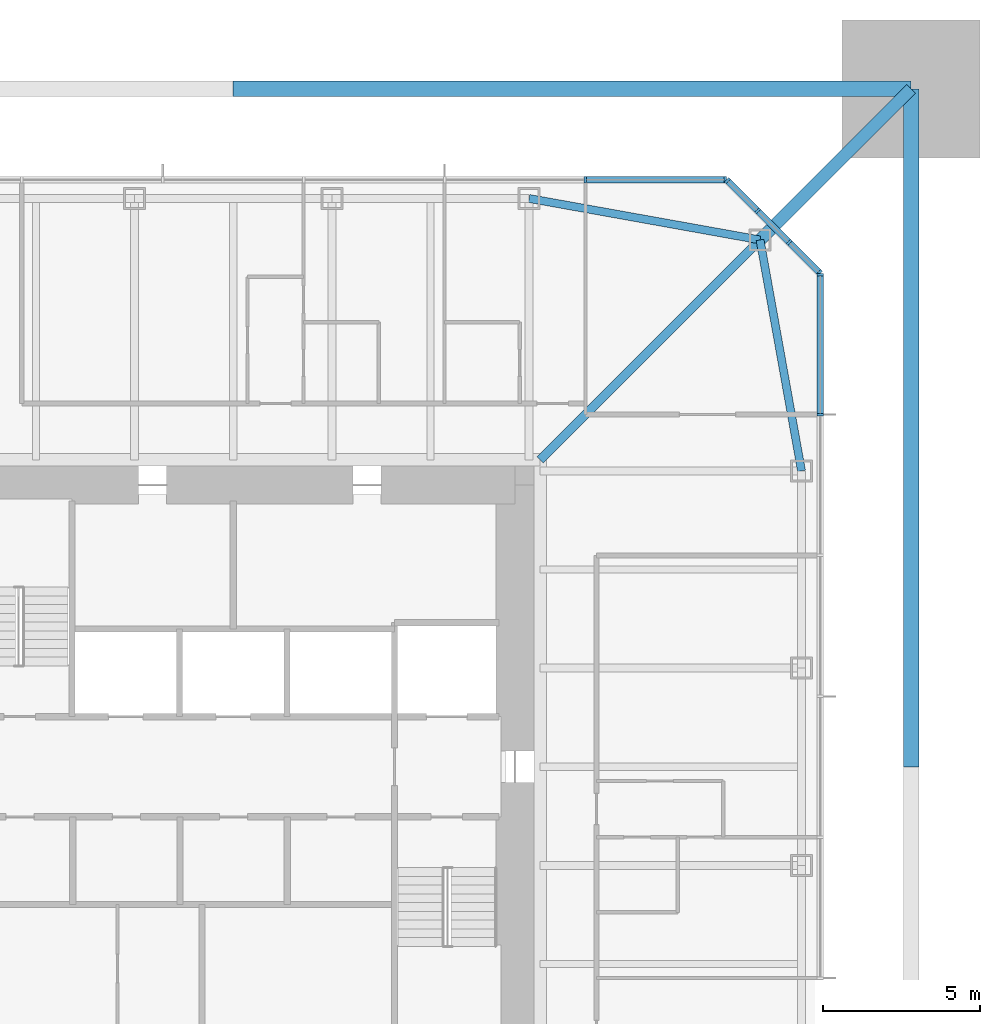
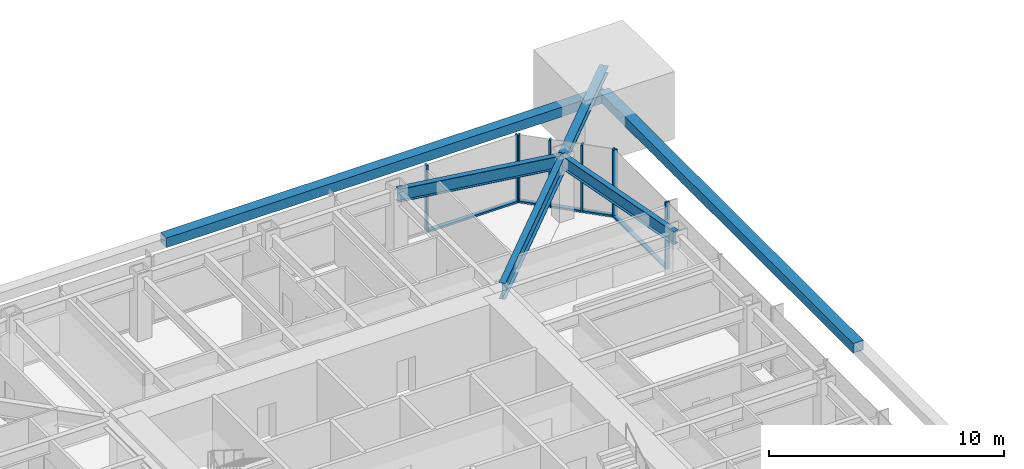
# One storey, part 6 of 13: 16 members, 3 beams, 3 elements without a shape of their own.
"""IFC4 building model written with IfcOpenShell, lengths in metres."""

from ifc_helpers import new_model, si_unit, direction, frame, origin, origin_2d, place, context, subcontext, project, spatial, rectangle, hollow_rectangle, i_section, extrude, material, material_profile, profile_set, type_object, element, aggregate, save


model = new_model("IFC4")

# Units and contexts
model_context = context("Model", 3, precision=1e-05, world=origin(), true_north=direction((0.0, 1.0)))
body_context = subcontext(model_context, "Body", "Model", "MODEL_VIEW")
ifc_project = project(units=[si_unit("LENGTHUNIT", "METRE"), si_unit("AREAUNIT", "SQUARE_METRE"), si_unit("VOLUMEUNIT", "CUBIC_METRE"), si_unit("PLANEANGLEUNIT", "RADIAN"), si_unit("MASSUNIT", "GRAM", prefix="KILO")], contexts=[model_context])

# Site, building, storey
site_placement = place(None, origin())
site = spatial("IfcSite", under=ifc_project, at=site_placement, CompositionType="ELEMENT")
building_placement = place(site_placement, origin())
building = spatial("IfcBuilding", under=site, at=building_placement, Name="Iwan Alto Co-Living Towers", CompositionType="ELEMENT")
storey_placement = place(building_placement, frame((0.0, 0.0, 191.5)))
storey = spatial("IfcBuildingStorey", under=building, at=storey_placement, Name="L52", CompositionType="ELEMENT", Elevation=191.5)

# Curtain wall, members
ifc_material_1 = material(Name="Bronze aluminium unitised frame", Category="aluminium")
curtain_wall_type_1 = type_object("IfcCurtainWallType", Name="CURTAIN WALL CW-A", PredefinedType="NOTDEFINED", material=ifc_material_1)
curtain_wall_1_placement = place(storey_placement, origin())
curtain_wall_1 = element("IfcCurtainWall", 1, at=curtain_wall_1_placement, inside=storey, type_object=curtain_wall_type_1, Name="T1 curtain wall E L52", PredefinedType="NOTDEFINED")
ifc_material_2 = material(Name="Aluminium 6063-T6 bronze anodised", Category="aluminium")
ifc_material_profile_1 = material_profile(ifc_material_2, rectangle(XDim=0.199951171875, YDim=0.080078125, at=origin_2d()), Name="AL 80X200")
ifc_profile_set_1 = profile_set([ifc_material_profile_1], Name="Aluminium 6063-T6 bronze anodised")
member_type_1 = type_object("IfcMemberType", Name="CW-A MULLION 80X200", PredefinedType="MULLION", material=ifc_profile_set_1)
member_1_placement = place(storey_placement, frame((18.75, 11.25, 0.0), z_axis=(0.0, 0.0, 1.0), x_axis=(-1.0, 0.0, 0.0)))
member_1 = element("IfcMember", 2, at=member_1_placement, type_object=member_type_1, Name="CW-A mullion 7", PredefinedType="MULLION", context=body_context, shape_type="SweptSolid", body=[
    extrude(rectangle(XDim=0.199951171875, YDim=0.080078125, at=origin_2d()), origin(), (0.0, 0.0, 1.0), 3.5),
])
member_2_placement = place(storey_placement, frame((18.75, 15.7099609375, 0.0), z_axis=(0.0, 0.0, 1.0), x_axis=(-1.0, 0.0, 0.0)))
member_2 = element("IfcMember", 3, at=member_2_placement, type_object=member_type_1, Name="CW-A mullion 8", PredefinedType="MULLION", context=body_context, shape_type="SweptSolid", body=[
    extrude(rectangle(XDim=0.199951171875, YDim=0.080078125, at=origin_2d()), origin(), (0.0, 0.0, 1.0), 3.5),
])

curtain_wall_2_placement = place(storey_placement, origin())
curtain_wall_2 = element("IfcCurtainWall", 4, at=curtain_wall_2_placement, inside=storey, type_object=curtain_wall_type_1, Name="T1 curtain wall N L52", PredefinedType="NOTDEFINED")
member_3_placement = place(storey_placement, frame((15.7099609375, 18.75, 0.0), z_axis=(0.0, 0.0, 1.0), x_axis=(0.0, -1.0, 0.0)))
member_3 = element("IfcMember", 5, at=member_3_placement, type_object=member_type_1, Name="CW-A mullion 1", PredefinedType="MULLION", context=body_context, shape_type="SweptSolid", body=[
    extrude(rectangle(XDim=0.199951171875, YDim=0.080078125, at=origin_2d()), origin(), (0.0, 0.0, 1.0), 3.5),
])
member_4_placement = place(storey_placement, frame((11.25, 18.75, 0.0), z_axis=(0.0, 0.0, 1.0), x_axis=(0.0, -1.0, 0.0)))
member_4 = element("IfcMember", 6, at=member_4_placement, type_object=member_type_1, Name="CW-A mullion 2", PredefinedType="MULLION", context=body_context, shape_type="SweptSolid", body=[
    extrude(rectangle(XDim=0.199951171875, YDim=0.080078125, at=origin_2d()), origin(), (0.0, 0.0, 1.0), 3.5),
])

# Member
ifc_material_3 = material(Name="Aluminium 6063-T6 bronze anodised", Category="aluminium")
ifc_material_profile_2 = material_profile(ifc_material_3, rectangle(XDim=0.199951171875, YDim=0.10009765625, at=origin_2d()), Name="AL 200X100")
ifc_profile_set_2 = profile_set([ifc_material_profile_2], Name="Aluminium 6063-T6 bronze anodised")
member_type_2 = type_object("IfcMemberType", Name="CW-A TRANSOM 200X100", PredefinedType="USERDEFINED", material=ifc_profile_set_2)
member_5_placement = place(storey_placement, frame((18.75, 11.2900390625, 0.050048828125), z_axis=(0.0, 1.0, 0.0), x_axis=(-1.0, 0.0, 0.0)))
member_5 = element("IfcMember", 7, at=member_5_placement, type_object=member_type_2, Name="CW-A transom 7.1", ObjectType="TRANSOM", PredefinedType="USERDEFINED", context=body_context, shape_type="SweptSolid", body=[
    extrude(rectangle(XDim=0.199951171875, YDim=0.10009765625, at=origin_2d()), origin(), (0.0, 0.0, 1.0), 4.3798828125),
])

aggregate(curtain_wall_1, [member_1, member_2, member_5])

member_6_placement = place(storey_placement, frame((15.669921875, 18.75, 0.050048828125), z_axis=(-1.0, 0.0, 0.0), x_axis=(0.0, -1.0, 0.0)))
member_6 = element("IfcMember", 8, at=member_6_placement, type_object=member_type_2, Name="CW-A transom 1.1", ObjectType="TRANSOM", PredefinedType="USERDEFINED", context=body_context, shape_type="SweptSolid", body=[
    extrude(rectangle(XDim=0.199951171875, YDim=0.10009765625, at=origin_2d()), origin(), (0.0, 0.0, 1.0), 4.3798828125),
])

aggregate(curtain_wall_2, [member_3, member_4, member_6])

# Curtain wall, members
ifc_material_4 = material(Name="Bronze aluminium unitised frame", Category="aluminium")
curtain_wall_type_2 = type_object("IfcCurtainWallType", Name="CURTAIN WALL CW-B", PredefinedType="NOTDEFINED", material=ifc_material_4)
curtain_wall_3_placement = place(storey_placement, origin())
curtain_wall_3 = element("IfcCurtainWall", 9, at=curtain_wall_3_placement, inside=storey, type_object=curtain_wall_type_2, Name="T1 chamfer curtain wall NE L52", PredefinedType="NOTDEFINED")
ifc_material_5 = material(Name="Aluminium 6063-T6 bronze anodised", Category="aluminium")
ifc_material_profile_3 = material_profile(ifc_material_5, rectangle(XDim=0.199951171875, YDim=0.080078125, at=origin_2d()), Name="AL 80X200")
ifc_profile_set_3 = profile_set([ifc_material_profile_3], Name="Aluminium 6063-T6 bronze anodised")
member_type_3 = type_object("IfcMemberType", Name="CW-B MULLION 80X200", PredefinedType="MULLION", material=ifc_profile_set_3)
member_7_placement = place(storey_placement, frame((18.7216796875, 15.7783203125, 0.0), z_axis=(0.0, 0.0, 1.0), x_axis=(-0.707106781187, -0.707106781187, 0.0)))
member_7 = element("IfcMember", 10, at=member_7_placement, type_object=member_type_3, Name="CW-B mullion 1", PredefinedType="MULLION", context=body_context, shape_type="SweptSolid", body=[
    extrude(rectangle(XDim=0.199951171875, YDim=0.080078125, at=origin_2d()), origin(), (0.0, 0.0, 1.0), 3.5),
])
member_8_placement = place(storey_placement, frame((17.75, 16.75, 0.0), z_axis=(0.0, 0.0, 1.0), x_axis=(-0.707106781187, -0.707106781187, 0.0)))
member_8 = element("IfcMember", 11, at=member_8_placement, type_object=member_type_3, Name="CW-B mullion 2", PredefinedType="MULLION", context=body_context, shape_type="SweptSolid", body=[
    extrude(rectangle(XDim=0.199951171875, YDim=0.080078125, at=origin_2d()), origin(), (0.0, 0.0, 1.0), 3.5),
])
member_9_placement = place(storey_placement, frame((16.75, 17.75, 0.0), z_axis=(0.0, 0.0, 1.0), x_axis=(-0.707106781187, -0.707106781187, 0.0)))
member_9 = element("IfcMember", 12, at=member_9_placement, type_object=member_type_3, Name="CW-B mullion 3", PredefinedType="MULLION", context=body_context, shape_type="SweptSolid", body=[
    extrude(rectangle(XDim=0.199951171875, YDim=0.080078125, at=origin_2d()), origin(), (0.0, 0.0, 1.0), 3.5),
])
member_10_placement = place(storey_placement, frame((15.7783203125, 18.7216796875, 0.0), z_axis=(0.0, 0.0, 1.0), x_axis=(-0.707106781187, -0.707106781187, 0.0)))
member_10 = element("IfcMember", 13, at=member_10_placement, type_object=member_type_3, Name="CW-B mullion 4", PredefinedType="MULLION", context=body_context, shape_type="SweptSolid", body=[
    extrude(rectangle(XDim=0.199951171875, YDim=0.080078125, at=origin_2d()), origin(), (0.0, 0.0, 1.0), 3.5),
])
ifc_material_6 = material(Name="Aluminium 6063-T6 bronze anodised", Category="aluminium")
ifc_material_profile_4 = material_profile(ifc_material_6, rectangle(XDim=0.199951171875, YDim=0.10009765625, at=origin_2d()), Name="AL 200X100")
ifc_profile_set_4 = profile_set([ifc_material_profile_4], Name="Aluminium 6063-T6 bronze anodised")
member_type_4 = type_object("IfcMemberType", Name="CW-B TRANSOM 200X100", PredefinedType="USERDEFINED", material=ifc_profile_set_4)
member_11_placement = place(storey_placement, frame((18.693359375, 15.806640625, 0.050048828125), z_axis=(-0.707106781187, 0.707106781187, 0.0), x_axis=(-0.707106781187, -0.707106781187, 0.0)))
member_11 = element("IfcMember", 14, at=member_11_placement, type_object=member_type_4, Name="CW-B transom 1.1", ObjectType="TRANSOM", PredefinedType="USERDEFINED", context=body_context, shape_type="SweptSolid", body=[
    extrude(rectangle(XDim=0.199951171875, YDim=0.10009765625, at=origin_2d()), origin(), (0.0, 0.0, 1.0), 1.2939453125),
])
member_12_placement = place(storey_placement, frame((17.7216796875, 16.7783203125, 0.050048828125), z_axis=(-0.707106781187, 0.707106781187, 0.0), x_axis=(-0.707106781187, -0.707106781187, 0.0)))
member_12 = element("IfcMember", 15, at=member_12_placement, type_object=member_type_4, Name="CW-B transom 2.1", ObjectType="TRANSOM", PredefinedType="USERDEFINED", context=body_context, shape_type="SweptSolid", body=[
    extrude(rectangle(XDim=0.199951171875, YDim=0.10009765625, at=origin_2d()), origin(), (0.0, 0.0, 1.0), 1.334228515625),
])
member_13_placement = place(storey_placement, frame((16.7216796875, 17.7783203125, 0.050048828125), z_axis=(-0.707106781187, 0.707106781187, 0.0), x_axis=(-0.707106781187, -0.707106781187, 0.0)))
member_13 = element("IfcMember", 16, at=member_13_placement, type_object=member_type_4, Name="CW-B transom 3.1", ObjectType="TRANSOM", PredefinedType="USERDEFINED", context=body_context, shape_type="SweptSolid", body=[
    extrude(rectangle(XDim=0.199951171875, YDim=0.10009765625, at=origin_2d()), origin(), (0.0, 0.0, 1.0), 1.2939453125),
])
aggregate(curtain_wall_3, [member_7, member_8, member_9, member_10, member_11, member_12, member_13])

# Beams
ifc_material_7 = material(Name="Steel ASTM A992 Gr 50", Category="steel")
ifc_material_profile_5 = material_profile(ifc_material_7, i_section(OverallWidth=0.2919921875, OverallDepth=0.8408203125, WebThickness=0.0146484375, FlangeThickness=0.021728515625, at=origin_2d()), Name="W33X130")
ifc_profile_set_5 = profile_set([ifc_material_profile_5], Name="Steel ASTM A992 Gr 50")
beam_type_1 = type_object("IfcBeamType", Name="T1 CORNER GIRDER W33X130", PredefinedType="BEAM", material=ifc_profile_set_5)
beam_placement = place(storey_placement, frame((16.82568359375, 16.82568359375, 2.849609375), z_axis=(-0.707106781187, -0.707106781187, 0.0), x_axis=(0.707106781187, -0.707106781187, 0.0)))
element("IfcBeam", 17, at=beam_placement, inside=storey, type_object=beam_type_1, Name="T1 corner girder CNE L53", PredefinedType="BEAM", context=body_context, shape_type="SweptSolid", body=[
    extrude(i_section(OverallWidth=0.2919921875, OverallDepth=0.8408203125, WebThickness=0.0146484375, FlangeThickness=0.021728515625, at=origin_2d()), origin(), (0.0, 0.0, 1.0), 9.936767578125),
])
ifc_material_8 = material(Name="Steel ASTM A992 Gr 50", Category="steel")
ifc_material_profile_6 = material_profile(ifc_material_8, i_section(OverallWidth=0.25390625, OverallDepth=0.683349609375, WebThickness=0.012451171875, FlangeThickness=0.018798828125, at=origin_2d()), Name="W27X94")
ifc_profile_set_6 = profile_set([ifc_material_profile_6], Name="Steel ASTM A992 Gr 50")
beam_type_2 = type_object("IfcBeamType", Name="T1 EDGE BEAM W27X94", PredefinedType="BEAM", material=ifc_profile_set_6)
for number, where, z_axis, x_axis, name in (
    (18, (18.14990234375, 9.449951171875, 2.928466796875), (-0.17671181143, 0.98426263553, 0.0), (-0.98426263553, -0.17671181143, 0.0), "T1 edge beam E4 L53"),
    (19, (16.82568359375, 16.82568359375, 2.928466796875), (-0.98426263553, 0.17671181143, 0.0), (-0.17671181143, -0.98426263553, 0.0), "T1 edge beam CNE L53"),
):
    element("IfcBeam", number, at=place(storey_placement, frame(where, z_axis=z_axis, x_axis=x_axis)), inside=storey, type_object=beam_type_2, Name=name, PredefinedType="BEAM", context=body_context, shape_type="SweptSolid", body=[
        extrude(i_section(OverallWidth=0.25390625, OverallDepth=0.683349609375, WebThickness=0.012451171875, FlangeThickness=0.018798828125, at=origin_2d()), origin(), (0.0, 0.0, 1.0), 7.49365234375),
    ])

# Members
ifc_material_9 = material(Name="Steel ASTM A992 Gr 50", Category="steel")
ifc_material_profile_7 = material_profile(ifc_material_9, i_section(OverallWidth=0.393798828125, OverallDepth=0.3759765625, WebThickness=0.017333984375, FlangeThickness=0.027587890625, at=origin_2d()), Name="W14X145")
ifc_profile_set_7 = profile_set([ifc_material_profile_7], Name="Steel ASTM A992 Gr 50")
member_type_5 = type_object("IfcMemberType", Name="T1 MEGA COLUMN FLOOR TIE W14X145", PredefinedType="STRUT", material=ifc_profile_set_7)
member_14_placement = place(storey_placement, frame((21.64990234375, 21.64990234375, 3.08203125), z_axis=(-0.707106781187, -0.707106781187, 0.0), x_axis=(0.707106781187, -0.707106781187, 0.0)))
element("IfcMember", 20, at=member_14_placement, inside=storey, type_object=member_type_5, Name="T1 mega column floor tie NE L53", PredefinedType="STRUT", context=body_context, shape_type="SweptSolid", body=[
    extrude(i_section(OverallWidth=0.393798828125, OverallDepth=0.3759765625, WebThickness=0.017333984375, FlangeThickness=0.027587890625, at=origin_2d()), origin(), (0.0, 0.0, 1.0), 6.822509765625),
])
ifc_material_10 = material(Name="Steel ASTM A572 Gr 50", Category="steel")
ifc_material_profile_8 = material_profile(ifc_material_10, hollow_rectangle(XDim=0.5, YDim=0.5, WallThickness=0.031982421875, at=origin_2d()), Name="BOX 500X500X32")
ifc_profile_set_8 = profile_set([ifc_material_profile_8], Name="Steel ASTM A572 Gr 50")
member_type_6 = type_object("IfcMemberType", Name="T1 MEGA TIE BOX 500X500X32", PredefinedType="STRUT", material=ifc_profile_set_8)
for number, where, z_axis, x_axis, name in (
    (21, (21.64990234375, 0.0, 1.75), (0.0, 1.0, 0.0), (-1.0, 0.0, 0.0), "T1 mega tie Z3B E 2"),
    (22, (21.64990234375, 21.64990234375, 1.75), (-1.0, 0.0, 0.0), (0.0, -1.0, 0.0), "T1 mega tie Z3B N 1"),
):
    element("IfcMember", number, at=place(storey_placement, frame(where, z_axis=z_axis, x_axis=x_axis)), inside=storey, type_object=member_type_6, Name=name, PredefinedType="STRUT", context=body_context, shape_type="SweptSolid", body=[
        extrude(hollow_rectangle(XDim=0.5, YDim=0.5, WallThickness=0.031982421875, at=origin_2d()), origin(), (0.0, 0.0, 1.0), 21.64990234375),
    ])

save(model, "model.ifc")
